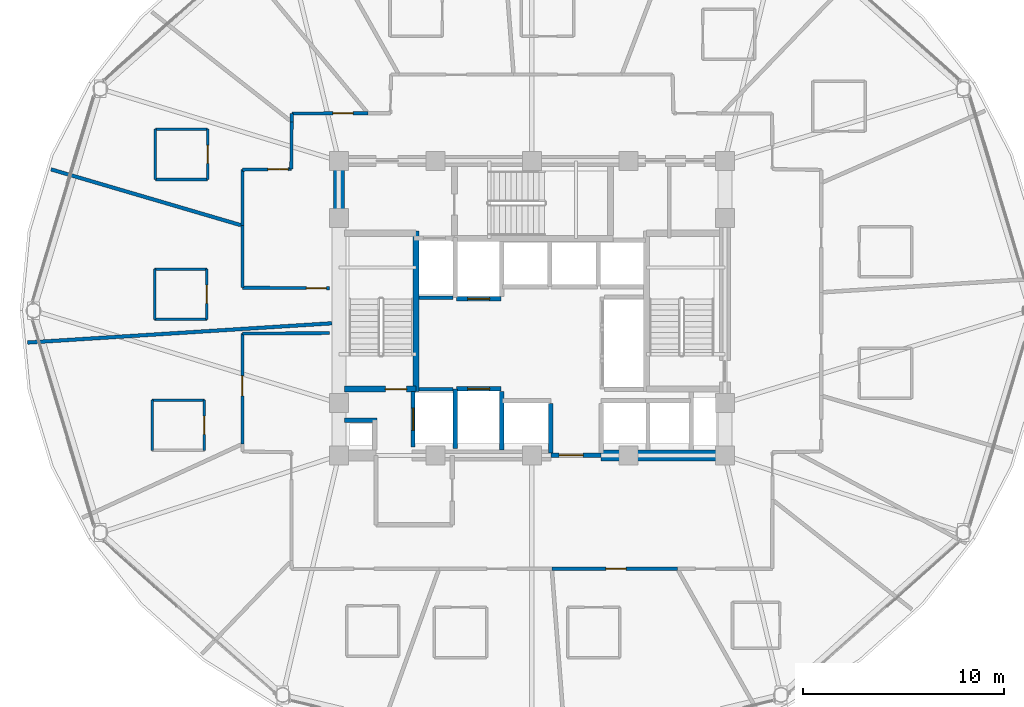
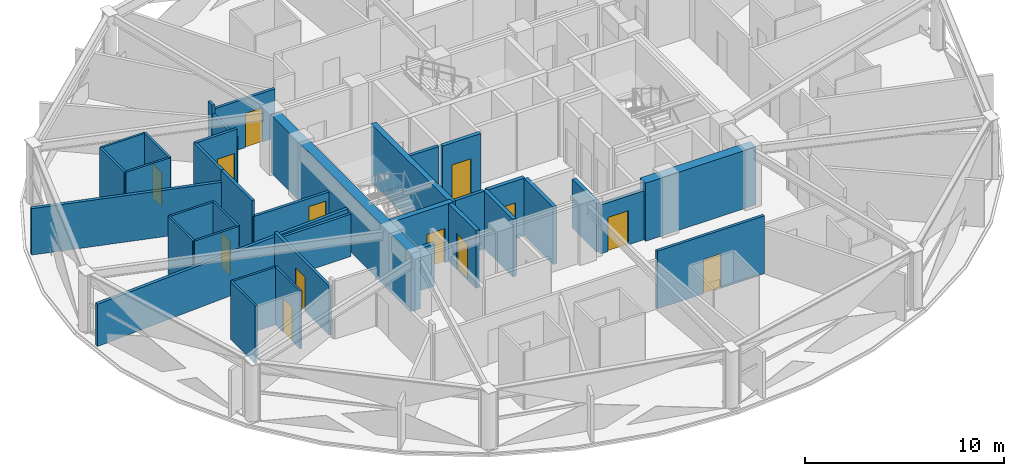
# One storey, part 23 of 30: 37 walls, 13 doors, 13 openings.
"""IFC4 building model written with IfcOpenShell, lengths in metres."""

from ifc_helpers import new_model, si_unit, direction, frame, frame_2d, origin, place, context, subcontext, project, spatial, rectangle, extrude, material, layer, layer_set, type_object, element, fill, save


model = new_model("IFC4")

# Units and contexts
model_context = context("Model", 3, precision=1e-05, world=origin(), true_north=direction((0.0, 1.0)))
body_context = subcontext(model_context, "Body", "Model", "MODEL_VIEW")
ifc_project = project(units=[si_unit("LENGTHUNIT", "METRE"), si_unit("AREAUNIT", "SQUARE_METRE"), si_unit("VOLUMEUNIT", "CUBIC_METRE"), si_unit("PLANEANGLEUNIT", "RADIAN"), si_unit("MASSUNIT", "GRAM", prefix="KILO")], contexts=[model_context])

# Site, building, storey
site_placement = place(None, origin())
site = spatial("IfcSite", under=ifc_project, at=site_placement, CompositionType="ELEMENT")
building_placement = place(site_placement, origin())
building = spatial("IfcBuilding", under=site, at=building_placement, Name="Vantalir Tower", CompositionType="ELEMENT")
storey_placement = place(building_placement, frame((0.0, 0.0, 153.449951171875)))
storey = spatial("IfcBuildingStorey", under=building, at=storey_placement, Name="L38", CompositionType="ELEMENT", Elevation=153.449951171875)

# Walls
ifc_material_1 = material(Name="Moisture-resistant en-suite partition", Category="gypsum")
ifc_layer_1 = layer(ifc_material_1, 0.125)
ifc_layer_set_1 = layer_set([ifc_layer_1], Name="Moisture-resistant en-suite partition")
wall_type_1 = type_object("IfcWallType", Name="WL-BATH-125", PredefinedType="PARTITIONING", material=ifc_layer_set_1)
for number, where, z_axis, x_axis, name in (
    (1, (12.77392578125, 31.52294921875, 0.0), (0.0, 0.0, 1.0), (1.0, 0.0, 0.0), "L38 En-suite 08 South Wall"),
    (2, (12.77392578125, 34.02294921875, 0.0), (0.0, 0.0, 1.0), (1.0, 0.0, 0.0), "L38 En-suite 08 North Wall"),
):
    element("IfcWall", number, at=place(storey_placement, frame(where, z_axis=z_axis, x_axis=x_axis)), inside=storey, type_object=wall_type_1, Name=name, PredefinedType="PARTITIONING", context=body_context, shape_type="SweptSolid", body=[
        extrude(rectangle(XDim=2.60009765625, YDim=0.125, at=frame_2d((1.300048828125, 0.0))), origin(), (0.0, 0.0, 1.0), 3.550048828125),
    ])
wall_1_placement = place(storey_placement, frame((12.77392578125, 31.52294921875, 0.0), z_axis=(0.0, 0.0, 1.0), x_axis=(0.0, 1.0, 0.0)))
element("IfcWall", 3, at=wall_1_placement, inside=storey, type_object=wall_type_1, Name="L38 En-suite 08 West Wall", PredefinedType="PARTITIONING", context=body_context, shape_type="SweptSolid", body=[
    extrude(rectangle(XDim=2.5, YDim=0.125, at=frame_2d((1.25, 0.0))), origin(), (0.0, 0.0, 1.0), 3.550048828125),
])

# Wall, opening, door
wall_2_placement = place(storey_placement, frame((15.3740234375, 31.52294921875, 0.0), z_axis=(0.0, 0.0, 1.0), x_axis=(0.0, 1.0, 0.0)))
wall_2 = element("IfcWall", 4, at=wall_2_placement, inside=storey, type_object=wall_type_1, Name="L38 En-suite 08 East Wall", PredefinedType="PARTITIONING", context=body_context, shape_type="SweptSolid", body=[
    extrude(rectangle(XDim=2.5, YDim=0.125, at=frame_2d((1.25, 0.0))), origin(), (0.0, 0.0, 1.0), 3.550048828125),
])
opening_1_placement = place(wall_2_placement, frame((0.800048828125, 0.0, 0.0)))
opening_1 = element("IfcOpeningElement", 5, at=opening_1_placement, cuts=wall_2, Name="Opening D-WC", PredefinedType="OPENING", context=body_context, shape_type="SweptSolid", body=[
    extrude(rectangle(XDim=0.89990234375, YDim=2.10009765625, at=frame_2d((0.449951171875, 1.050048828125))), frame((0.0, 0.072509765625, 0.0), z_axis=(0.0, -1.0, 0.0), x_axis=(1.0, 0.0, 0.0)), (0.0, 0.0, 1.0), 0.14501953125),
])
ifc_material_2 = material(Name="Moisture-resistant hardwood door", Category="wood")
door_type_1 = type_object("IfcDoorType", Name="DR-ENSUITE-900", OperationType="NOTDEFINED", PredefinedType="DOOR", material=ifc_material_2)
door_1_placement = place(opening_1_placement, origin())
door_1 = element("IfcDoor", 6, at=door_1_placement, inside=storey, type_object=door_type_1, Name="L38 En-suite 08 Door", OperationType="SINGLE_SWING_LEFT", OverallHeight=2.10009765625, OverallWidth=0.89990234375, PredefinedType="DOOR", context=body_context, shape_type="SweptSolid", body=[
    extrude(rectangle(XDim=0.89990234375, YDim=2.10009765625, at=frame_2d((0.449951171875, 1.050048828125))), frame((0.0, 0.02490234375, 0.0), z_axis=(0.0, -1.0, 0.0), x_axis=(1.0, 0.0, 0.0)), (0.0, 0.0, 1.0), 0.050048828125),
])
fill(opening_1, door_1)

# Walls
for number, where, z_axis, x_axis, name in (
    (7, (12.741943359375, 24.568115234375, 0.0), (0.0, 0.0, 1.0), (1.0, 0.0, 0.0), "L38 En-suite 09 South Wall"),
    (8, (12.741943359375, 27.068115234375, 0.0), (0.0, 0.0, 1.0), (1.0, 0.0, 0.0), "L38 En-suite 09 North Wall"),
):
    element("IfcWall", number, at=place(storey_placement, frame(where, z_axis=z_axis, x_axis=x_axis)), inside=storey, type_object=wall_type_1, Name=name, PredefinedType="PARTITIONING", context=body_context, shape_type="SweptSolid", body=[
        extrude(rectangle(XDim=2.60009765625, YDim=0.125, at=frame_2d((1.300048828125, 0.0))), origin(), (0.0, 0.0, 1.0), 3.550048828125),
    ])
wall_3_placement = place(storey_placement, frame((12.741943359375, 24.568115234375, 0.0), z_axis=(0.0, 0.0, 1.0), x_axis=(0.0, 1.0, 0.0)))
element("IfcWall", 9, at=wall_3_placement, inside=storey, type_object=wall_type_1, Name="L38 En-suite 09 West Wall", PredefinedType="PARTITIONING", context=body_context, shape_type="SweptSolid", body=[
    extrude(rectangle(XDim=2.5, YDim=0.125, at=frame_2d((1.25, 0.0))), origin(), (0.0, 0.0, 1.0), 3.550048828125),
])

# Wall, opening, door
wall_4_placement = place(storey_placement, frame((15.342041015625, 24.568115234375, 0.0), z_axis=(0.0, 0.0, 1.0), x_axis=(0.0, 1.0, 0.0)))
wall_4 = element("IfcWall", 10, at=wall_4_placement, inside=storey, type_object=wall_type_1, Name="L38 En-suite 09 East Wall", PredefinedType="PARTITIONING", context=body_context, shape_type="SweptSolid", body=[
    extrude(rectangle(XDim=2.5, YDim=0.125, at=frame_2d((1.25, 0.0))), origin(), (0.0, 0.0, 1.0), 3.550048828125),
])
opening_2_placement = place(wall_4_placement, frame((0.800048828125, 0.0, 0.0)))
opening_2 = element("IfcOpeningElement", 11, at=opening_2_placement, cuts=wall_4, Name="Opening D-WC", PredefinedType="OPENING", context=body_context, shape_type="SweptSolid", body=[
    extrude(rectangle(XDim=0.89990234375, YDim=2.10009765625, at=frame_2d((0.449951171875, 1.050048828125))), frame((0.0, 0.072509765625, 0.0), z_axis=(0.0, -1.0, 0.0), x_axis=(1.0, 0.0, 0.0)), (0.0, 0.0, 1.0), 0.14501953125),
])
door_2_placement = place(opening_2_placement, origin())
door_2 = element("IfcDoor", 12, at=door_2_placement, inside=storey, type_object=door_type_1, Name="L38 En-suite 09 Door", OperationType="SINGLE_SWING_RIGHT", OverallHeight=2.10009765625, OverallWidth=0.89990234375, PredefinedType="DOOR", context=body_context, shape_type="SweptSolid", body=[
    extrude(rectangle(XDim=0.89990234375, YDim=2.10009765625, at=frame_2d((0.449951171875, 1.050048828125))), frame((0.0, 0.02490234375, 0.0), z_axis=(0.0, -1.0, 0.0), x_axis=(1.0, 0.0, 0.0)), (0.0, 0.0, 1.0), 0.050048828125),
])
fill(opening_2, door_2)

# Walls
wall_5_placement = place(storey_placement, frame((12.610107421875, 20.550048828125, 0.0), z_axis=(0.0, 0.0, 1.0), x_axis=(1.0, 0.0, 0.0)))
element("IfcWall", 13, at=wall_5_placement, inside=storey, type_object=wall_type_1, Name="L38 En-suite 10 North Wall", PredefinedType="PARTITIONING", context=body_context, shape_type="SweptSolid", body=[
    extrude(rectangle(XDim=2.599853515625, YDim=0.125, at=frame_2d((1.2998046875, 0.0))), origin(), (0.0, 0.0, 1.0), 3.550048828125),
])
wall_6_placement = place(storey_placement, frame((12.610107421875, 18.050048828125, 0.0), z_axis=(0.0, 0.0, 1.0), x_axis=(0.0, 1.0, 0.0)))
element("IfcWall", 14, at=wall_6_placement, inside=storey, type_object=wall_type_1, Name="L38 En-suite 10 West Wall", PredefinedType="PARTITIONING", context=body_context, shape_type="SweptSolid", body=[
    extrude(rectangle(XDim=2.5, YDim=0.125, at=frame_2d((1.25, 0.0))), origin(), (0.0, 0.0, 1.0), 3.550048828125),
])

# Wall, opening, door
wall_7_placement = place(storey_placement, frame((15.2099609375, 18.050048828125, 0.0), z_axis=(0.0, 0.0, 1.0), x_axis=(0.0, 1.0, 0.0)))
wall_7 = element("IfcWall", 15, at=wall_7_placement, inside=storey, type_object=wall_type_1, Name="L38 En-suite 10 East Wall", PredefinedType="PARTITIONING", context=body_context, shape_type="SweptSolid", body=[
    extrude(rectangle(XDim=2.5, YDim=0.125, at=frame_2d((1.25, 0.0))), origin(), (0.0, 0.0, 1.0), 3.550048828125),
])
opening_3_placement = place(wall_7_placement, frame((0.800048828125, 0.0, 0.0)))
opening_3 = element("IfcOpeningElement", 16, at=opening_3_placement, cuts=wall_7, Name="Opening D-WC", PredefinedType="OPENING", context=body_context, shape_type="SweptSolid", body=[
    extrude(rectangle(XDim=0.89990234375, YDim=2.10009765625, at=frame_2d((0.449951171875, 1.050048828125))), frame((0.0, 0.072509765625, 0.0), z_axis=(0.0, -1.0, 0.0), x_axis=(1.0, 0.0, 0.0)), (0.0, 0.0, 1.0), 0.14501953125),
])
door_3_placement = place(opening_3_placement, origin())
door_3 = element("IfcDoor", 17, at=door_3_placement, inside=storey, type_object=door_type_1, Name="L38 En-suite 10 Door", OperationType="SINGLE_SWING_LEFT", OverallHeight=2.10009765625, OverallWidth=0.89990234375, PredefinedType="DOOR", context=body_context, shape_type="SweptSolid", body=[
    extrude(rectangle(XDim=0.89990234375, YDim=2.10009765625, at=frame_2d((0.449951171875, 1.050048828125))), frame((0.0, 0.02490234375, 0.0), z_axis=(0.0, -1.0, 0.0), x_axis=(1.0, 0.0, 0.0)), (0.0, 0.0, 1.0), 0.050048828125),
])
fill(opening_3, door_3)

# Walls
ifc_material_3 = material(Name="Concrete C60/75", Category="concrete")
ifc_layer_2 = layer(ifc_material_3, 0.550048828125)
ifc_layer_set_2 = layer_set([ifc_layer_2], Name="Concrete C60/75")
wall_type_2 = type_object("IfcWallType", Name="WL-CORE-550", PredefinedType="SHEAR", material=ifc_layer_set_2)
wall_8_placement = place(storey_placement, frame((34.949951171875, 17.800048828125, 0.0), z_axis=(0.0, 0.0, 1.0), x_axis=(1.0, 0.0, 0.0)))
element("IfcWall", 18, at=wall_8_placement, inside=storey, type_object=wall_type_2, Name="L38 Core Shear Wall South-East", PredefinedType="SHEAR", context=body_context, shape_type="SweptSolid", body=[
    extrude(rectangle(XDim=6.425048828125, YDim=0.550048828125, at=frame_2d((3.21240234375, 0.0))), origin(), (0.0, 0.0, 1.0), 3.570068359375),
])
wall_9_placement = place(storey_placement, frame((21.89990234375, 18.074951171875, 0.0), z_axis=(0.0, 0.0, 1.0), x_axis=(0.0, 1.0, 0.0)))
element("IfcWall", 19, at=wall_9_placement, inside=storey, type_object=wall_type_2, Name="L38 Core Shear Wall West", PredefinedType="SHEAR", context=body_context, shape_type="SweptSolid", body=[
    extrude(rectangle(XDim=14.10009765625, YDim=0.550048828125, at=frame_2d((7.050048828125, 0.0))), origin(), (0.0, 0.0, 1.0), 3.570068359375),
])

# Wall, opening, door
ifc_material_4 = material(Name="Fire-rated hotel corridor acoustic partition", Category="gypsum")
ifc_layer_3 = layer(ifc_material_4, 0.159912109375)
ifc_layer_set_3 = layer_set([ifc_layer_3], Name="Fire-rated hotel corridor acoustic partition")
wall_type_3 = type_object("IfcWallType", Name="WL-CORR-160", PredefinedType="PARTITIONING", material=ifc_layer_set_3)
wall_10_placement = place(storey_placement, frame((21.445068359375, 26.115966796875, 0.0), z_axis=(0.0, 0.0, 1.0), x_axis=(-0.999981878077, 0.006020258873, 0.0)))
wall_10 = element("IfcWall", 20, at=wall_10_placement, inside=storey, type_object=wall_type_3, Name="L38 Corridor Partition 01", PredefinedType="PARTITIONING", context=body_context, shape_type="SweptSolid", body=[
    extrude(rectangle(XDim=4.339111328125, YDim=0.159912109375, at=frame_2d((2.16943359375, 0.0))), origin(), (0.0, 0.0, 1.0), 2.594970703125),
])
opening_4_placement = place(wall_10_placement, frame((0.159912109375, 0.0, 0.0)))
opening_4 = element("IfcOpeningElement", 21, at=opening_4_placement, cuts=wall_10, Name="Opening D-GUEST", PredefinedType="OPENING", context=body_context, shape_type="SweptSolid", body=[
    extrude(rectangle(XDim=1.0, YDim=2.10009765625, at=frame_2d((0.5, 1.050048828125))), frame((0.0, 0.08984375, 0.0), z_axis=(0.0, -1.0, 0.0), x_axis=(1.0, 0.0, 0.0)), (0.0, 0.0, 1.0), 0.179931640625),
])
ifc_material_5 = material(Name="Solid-core teak veneer acoustic fire door", Category="wood")
door_type_2 = type_object("IfcDoorType", Name="DR-GUEST-ENTRY-1000", OperationType="NOTDEFINED", PredefinedType="DOOR", material=ifc_material_5)
door_4_placement = place(opening_4_placement, origin())
door_4 = element("IfcDoor", 22, at=door_4_placement, inside=storey, type_object=door_type_2, Name="L38 Deluxe King Hotel Room 09 Door", OperationType="SINGLE_SWING_RIGHT", OverallHeight=2.10009765625, OverallWidth=1.0, PredefinedType="DOOR", context=body_context, shape_type="SweptSolid", body=[
    extrude(rectangle(XDim=1.0, YDim=2.10009765625, at=frame_2d((0.5, 1.050048828125))), frame((0.0, 0.02490234375, 0.0), z_axis=(0.0, -1.0, 0.0), x_axis=(1.0, 0.0, 0.0)), (0.0, 0.0, 1.0), 0.050048828125),
])
fill(opening_4, door_4)

# Walls
wall_11_placement = place(storey_placement, frame((17.10595703125, 26.14208984375, 0.0), z_axis=(0.0, 0.0, 1.0), x_axis=(0.0, 1.0, 0.0)))
element("IfcWall", 23, at=wall_11_placement, inside=storey, type_object=wall_type_3, Name="L38 Corridor Partition 02", PredefinedType="PARTITIONING", context=body_context, shape_type="SweptSolid", body=[
    extrude(rectangle(XDim=3.0869140625, YDim=0.159912109375, at=frame_2d((1.54345703125, 0.0))), origin(), (0.0, 0.0, 1.0), 3.550048828125),
])
wall_12_placement = place(storey_placement, frame((17.10595703125, 29.22900390625, 0.0), z_axis=(0.0, 0.0, 1.0), x_axis=(0.000350907953, 0.999999938432, 0.0)))
element("IfcWall", 24, at=wall_12_placement, inside=storey, type_object=wall_type_3, Name="L38 Corridor Partition 03", PredefinedType="PARTITIONING", context=body_context, shape_type="SweptSolid", body=[
    extrude(rectangle(XDim=2.782958984375, YDim=0.159912109375, at=frame_2d((1.3916015625, 0.0))), origin(), (0.0, 0.0, 1.0), 3.550048828125),
])

# Wall, opening, door
wall_13_placement = place(storey_placement, frame((17.10693359375, 32.011962890625, 0.0), z_axis=(0.0, 0.0, 1.0), x_axis=(0.999933148284, 0.011562826752, 0.0)))
wall_13 = element("IfcWall", 25, at=wall_13_placement, inside=storey, type_object=wall_type_3, Name="L38 Corridor Partition 04", PredefinedType="PARTITIONING", context=body_context, shape_type="SweptSolid", body=[
    extrude(rectangle(XDim=2.42822265625, YDim=0.159912109375, at=frame_2d((1.214111328125, 0.0))), origin(), (0.0, 0.0, 1.0), 3.550048828125),
])
opening_5_placement = place(wall_13_placement, frame((1.26806640625, 0.0, 0.0)))
opening_5 = element("IfcOpeningElement", 26, at=opening_5_placement, cuts=wall_13, Name="Opening D-GUEST", PredefinedType="OPENING", context=body_context, shape_type="SweptSolid", body=[
    extrude(rectangle(XDim=1.0, YDim=2.10009765625, at=frame_2d((0.5, 1.050048828125))), frame((0.0, 0.08984375, 0.0), z_axis=(0.0, -1.0, 0.0), x_axis=(1.0, 0.0, 0.0)), (0.0, 0.0, 1.0), 0.179931640625),
])
door_5_placement = place(opening_5_placement, origin())
door_5 = element("IfcDoor", 27, at=door_5_placement, inside=storey, type_object=door_type_2, Name="L38 Twin Queen Hotel Room 08 Door", OperationType="SINGLE_SWING_LEFT", OverallHeight=2.10009765625, OverallWidth=1.0, PredefinedType="DOOR", context=body_context, shape_type="SweptSolid", body=[
    extrude(rectangle(XDim=1.0, YDim=2.10009765625, at=frame_2d((0.5, 1.050048828125))), frame((0.0, 0.02490234375, 0.0), z_axis=(0.0, -1.0, 0.0), x_axis=(1.0, 0.0, 0.0)), (0.0, 0.0, 1.0), 0.050048828125),
])
fill(opening_5, door_5)

# Walls
wall_14_placement = place(storey_placement, frame((19.534912109375, 32.0400390625, 0.0), z_axis=(0.0, 0.0, 1.0), x_axis=(0.008938422662, 0.999960051502, 0.0)))
element("IfcWall", 28, at=wall_14_placement, inside=storey, type_object=wall_type_3, Name="L38 Corridor Partition 05", PredefinedType="PARTITIONING", context=body_context, shape_type="SweptSolid", body=[
    extrude(rectangle(XDim=2.348876953125, YDim=0.159912109375, at=frame_2d((1.17431640625, 0.0))), origin(), (0.0, 0.0, 1.0), 3.006103515625),
])
wall_15_placement = place(storey_placement, frame((19.555908203125, 34.388916015625, 0.0), z_axis=(0.0, 0.0, 1.0), x_axis=(0.009809106822, 0.999951889554, 0.0)))
element("IfcWall", 29, at=wall_15_placement, inside=storey, type_object=wall_type_3, Name="L38 Corridor Partition 06", PredefinedType="PARTITIONING", context=body_context, shape_type="SweptSolid", body=[
    extrude(rectangle(XDim=0.423095703125, YDim=0.159912109375, at=frame_2d((0.21142578125, 0.0))), origin(), (0.0, 0.0, 1.0), 3.550048828125),
])

# Wall, opening, door
wall_16_placement = place(storey_placement, frame((19.56005859375, 34.81201171875, 0.0), z_axis=(0.0, 0.0, 1.0), x_axis=(0.999999867217, 0.000515331032, 0.0)))
wall_16 = element("IfcWall", 30, at=wall_16_placement, inside=storey, type_object=wall_type_3, Name="L38 Corridor Partition 07", PredefinedType="PARTITIONING", context=body_context, shape_type="SweptSolid", body=[
    extrude(rectangle(XDim=3.7900390625, YDim=0.159912109375, at=frame_2d((1.89501953125, 0.0))), origin(), (0.0, 0.0, 1.0), 3.006103515625),
])
opening_6_placement = place(wall_16_placement, frame((2.049072265625, 0.0, 0.0)))
opening_6 = element("IfcOpeningElement", 31, at=opening_6_placement, cuts=wall_16, Name="Opening D-GUEST", PredefinedType="OPENING", context=body_context, shape_type="SweptSolid", body=[
    extrude(rectangle(XDim=1.0, YDim=2.10009765625, at=frame_2d((0.5, 1.050048828125))), frame((0.0, 0.08984375, 0.0), z_axis=(0.0, -1.0, 0.0), x_axis=(1.0, 0.0, 0.0)), (0.0, 0.0, 1.0), 0.179931640625),
])
door_6_placement = place(opening_6_placement, origin())
door_6 = element("IfcDoor", 32, at=door_6_placement, inside=storey, type_object=door_type_2, Name="L38 Club Reading Lounge 07 Door", OperationType="SINGLE_SWING_RIGHT", OverallHeight=2.10009765625, OverallWidth=1.0, PredefinedType="DOOR", context=body_context, shape_type="SweptSolid", body=[
    extrude(rectangle(XDim=1.0, YDim=2.10009765625, at=frame_2d((0.5, 1.050048828125))), frame((0.0, 0.02490234375, 0.0), z_axis=(0.0, -1.0, 0.0), x_axis=(1.0, 0.0, 0.0)), (0.0, 0.0, 1.0), 0.050048828125),
])
fill(opening_6, door_6)

wall_17_placement = place(storey_placement, frame((38.73193359375, 12.166015625, 0.0), z_axis=(0.0, 0.0, 1.0), x_axis=(-0.999999889749, -0.000469575374, 0.0)))
wall_17 = element("IfcWall", 33, at=wall_17_placement, inside=storey, type_object=wall_type_3, Name="L38 Corridor Partition 28", PredefinedType="PARTITIONING", context=body_context, shape_type="SweptSolid", body=[
    extrude(rectangle(XDim=6.239013671875, YDim=0.159912109375, at=frame_2d((3.11962890625, 0.0))), origin(), (0.0, 0.0, 1.0), 3.550048828125),
])
opening_7_placement = place(wall_17_placement, frame((2.544921875, 0.0, 0.0)))
opening_7 = element("IfcOpeningElement", 34, at=opening_7_placement, cuts=wall_17, Name="Opening D-GUEST", PredefinedType="OPENING", context=body_context, shape_type="SweptSolid", body=[
    extrude(rectangle(XDim=1.0, YDim=2.10009765625, at=frame_2d((0.5, 1.050048828125))), frame((0.0, 0.08984375, 0.0), z_axis=(0.0, -1.0, 0.0), x_axis=(1.0, 0.0, 0.0)), (0.0, 0.0, 1.0), 0.179931640625),
])
door_7_placement = place(opening_7_placement, origin())
door_7 = element("IfcDoor", 35, at=door_7_placement, inside=storey, type_object=door_type_2, Name="L38 Twin Queen Hotel Room 14 Door", OperationType="SINGLE_SWING_LEFT", OverallHeight=2.10009765625, OverallWidth=1.0, PredefinedType="DOOR", context=body_context, shape_type="SweptSolid", body=[
    extrude(rectangle(XDim=1.0, YDim=2.10009765625, at=frame_2d((0.5, 1.050048828125))), frame((0.0, 0.02490234375, 0.0), z_axis=(0.0, -1.0, 0.0), x_axis=(1.0, 0.0, 0.0)), (0.0, 0.0, 1.0), 0.050048828125),
])
fill(opening_7, door_7)

wall_18_placement = place(storey_placement, frame((17.10595703125, 18.367919921875, 0.0), z_axis=(0.0, 0.0, 1.0), x_axis=(0.0, 1.0, 0.0)))
wall_18 = element("IfcWall", 36, at=wall_18_placement, inside=storey, type_object=wall_type_3, Name="L38 Corridor Partition 35", PredefinedType="PARTITIONING", context=body_context, shape_type="SweptSolid", body=[
    extrude(rectangle(XDim=5.489990234375, YDim=0.159912109375, at=frame_2d((2.7451171875, 0.0))), origin(), (0.0, 0.0, 1.0), 3.006103515625),
])
opening_8_placement = place(wall_18_placement, frame((2.39404296875, 0.0, 0.0)))
opening_8 = element("IfcOpeningElement", 37, at=opening_8_placement, cuts=wall_18, Name="Opening D-GUEST", PredefinedType="OPENING", context=body_context, shape_type="SweptSolid", body=[
    extrude(rectangle(XDim=1.0, YDim=2.10009765625, at=frame_2d((0.5, 1.050048828125))), frame((0.0, 0.08984375, 0.0), z_axis=(0.0, -1.0, 0.0), x_axis=(1.0, 0.0, 0.0)), (0.0, 0.0, 1.0), 0.179931640625),
])
door_8_placement = place(opening_8_placement, origin())
door_8 = element("IfcDoor", 38, at=door_8_placement, inside=storey, type_object=door_type_2, Name="L38 Twin Queen Hotel Room 10 Door", OperationType="SINGLE_SWING_LEFT", OverallHeight=2.10009765625, OverallWidth=1.0, PredefinedType="DOOR", context=body_context, shape_type="SweptSolid", body=[
    extrude(rectangle(XDim=1.0, YDim=2.10009765625, at=frame_2d((0.5, 1.050048828125))), frame((0.0, 0.02490234375, 0.0), z_axis=(0.0, -1.0, 0.0), x_axis=(1.0, 0.0, 0.0)), (0.0, 0.0, 1.0), 0.050048828125),
])
fill(opening_8, door_8)

# Walls
wall_19_placement = place(storey_placement, frame((17.10595703125, 23.85791015625, 0.0), z_axis=(0.0, 0.0, 1.0), x_axis=(0.999981878077, 0.006020258873, 0.0)))
element("IfcWall", 39, at=wall_19_placement, inside=storey, type_object=wall_type_3, Name="L38 Corridor Partition 36", PredefinedType="PARTITIONING", context=body_context, shape_type="SweptSolid", body=[
    extrude(rectangle(XDim=4.339111328125, YDim=0.159912109375, at=frame_2d((2.16943359375, 0.0))), origin(), (0.0, 0.0, 1.0), 2.594970703125),
])
ifc_material_6 = material(Name="Concrete blockwork with fireboard lining", Category="masonry")
ifc_layer_4 = layer(ifc_material_6, 0.219970703125)
ifc_layer_set_4 = layer_set([ifc_layer_4], Name="Concrete blockwork with fireboard lining")
wall_type_4 = type_object("IfcWallType", Name="WL-FFL-220", PredefinedType="PARTITIONING", material=ifc_layer_set_4)
wall_20_placement = place(storey_placement, frame((30.0, 18.080078125, 0.0), z_axis=(0.0, 0.0, 1.0), x_axis=(0.0, 1.0, 0.0)))
element("IfcWall", 40, at=wall_20_placement, inside=storey, type_object=wall_type_4, Name="L38 Service Lift SV1 East Shaft Wall", PredefinedType="PARTITIONING", context=body_context, shape_type="SweptSolid", body=[
    extrude(rectangle(XDim=2.89990234375, YDim=0.219970703125, at=frame_2d((1.449951171875, 0.0))), origin(), (0.0, 0.0, 1.0), 3.545166015625),
])
wall_21_placement = place(storey_placement, frame((32.449951171875, 17.919921875, 0.0), z_axis=(0.0, 0.0, 1.0), x_axis=(0.0, 1.0, 0.0)))
element("IfcWall", 41, at=wall_21_placement, inside=storey, type_object=wall_type_4, Name="L38 Shuttle Lift PL-X1 East Shaft Cheek", PredefinedType="PARTITIONING", context=body_context, shape_type="SweptSolid", body=[
    extrude(rectangle(XDim=2.469970703125, YDim=0.219970703125, at=frame_2d((1.23486328125, 0.0))), origin(), (0.0, 0.0, 1.0), 3.006103515625),
])

# Wall, opening, door
wall_22_placement = place(storey_placement, frame((32.449951171875, 17.800048828125, 0.0), z_axis=(0.0, 0.0, 1.0), x_axis=(1.0, 0.0, 0.0)))
wall_22 = element("IfcWall", 42, at=wall_22_placement, inside=storey, type_object=wall_type_4, Name="L38 Passenger Lift Lobby South Wall", PredefinedType="PARTITIONING", context=body_context, shape_type="SweptSolid", body=[
    extrude(rectangle(XDim=2.5, YDim=0.219970703125, at=frame_2d((1.25, 0.0))), origin(), (0.0, 0.0, 1.0), 3.006103515625),
])
opening_9_placement = place(wall_22_placement, frame((0.39990234375, 0.0, 0.0)))
opening_9 = element("IfcOpeningElement", 43, at=opening_9_placement, cuts=wall_22, Name="Opening D-STE", PredefinedType="OPENING", context=body_context, shape_type="SweptSolid", body=[
    extrude(rectangle(XDim=1.199951171875, YDim=2.10009765625, at=frame_2d((0.60009765625, 1.050048828125))), frame((0.0, 0.119873046875, 0.0), z_axis=(0.0, -1.0, 0.0), x_axis=(1.0, 0.0, 0.0)), (0.0, 0.0, 1.0), 0.239990234375),
])
ifc_material_7 = material(Name="Solid-core teak veneer suite entrance door", Category="wood")
door_type_3 = type_object("IfcDoorType", Name="DR-SUITE-ENTRY-1200", OperationType="NOTDEFINED", PredefinedType="DOOR", material=ifc_material_7)
door_9_placement = place(opening_9_placement, origin())
door_9 = element("IfcDoor", 44, at=door_9_placement, inside=storey, type_object=door_type_3, Name="L38 Passenger Lift Lobby Concourse Door", OperationType="SINGLE_SWING_LEFT", OverallHeight=2.10009765625, OverallWidth=1.199951171875, PredefinedType="DOOR", context=body_context, shape_type="SweptSolid", body=[
    extrude(rectangle(XDim=1.199951171875, YDim=2.10009765625, at=frame_2d((0.60009765625, 1.050048828125))), frame((0.0, 0.02490234375, 0.0), z_axis=(0.0, -1.0, 0.0), x_axis=(1.0, 0.0, 0.0)), (0.0, 0.0, 1.0), 0.050048828125),
])
fill(opening_9, door_9)

# Wall
wall_23_placement = place(storey_placement, frame((22.175048828125, 19.550048828125, 0.0), z_axis=(0.0, 0.0, 1.0), x_axis=(1.0, 0.0, 0.0)))
element("IfcWall", 45, at=wall_23_placement, inside=storey, type_object=wall_type_4, Name="L38 West MEP Riser Wall N", PredefinedType="PARTITIONING", context=body_context, shape_type="SweptSolid", body=[
    extrude(rectangle(XDim=1.614990234375, YDim=0.219970703125, at=frame_2d((0.8076171875, 0.0))), origin(), (0.0, 0.0, 1.0), 2.594970703125),
])

# Wall, opening, door
wall_24_placement = place(storey_placement, frame((25.590087890625, 18.219970703125, 0.0), z_axis=(0.0, 0.0, 1.0), x_axis=(0.0, 1.0, 0.0)))
wall_24 = element("IfcWall", 46, at=wall_24_placement, inside=storey, type_object=wall_type_4, Name="L38 Lift FL1 Shaft Front Wall", PredefinedType="PARTITIONING", context=body_context, shape_type="SweptSolid", body=[
    extrude(rectangle(XDim=2.760009765625, YDim=0.219970703125, at=frame_2d((1.3798828125, 0.0))), origin(), (0.0, 0.0, 1.0), 3.550048828125),
])
opening_10_placement = place(wall_24_placement, frame((0.830078125, 0.0, 0.0)))
opening_10 = element("IfcOpeningElement", 47, at=opening_10_placement, cuts=wall_24, Name="Opening LD-FL1", PredefinedType="OPENING", context=body_context, shape_type="SweptSolid", body=[
    extrude(rectangle(XDim=1.10009765625, YDim=2.199951171875, at=frame_2d((0.550048828125, 1.10009765625))), frame((0.0, 0.119873046875, 0.0), z_axis=(0.0, -1.0, 0.0), x_axis=(1.0, 0.0, 0.0)), (0.0, 0.0, 1.0), 0.239990234375),
])
ifc_material_8 = material(Name="Brushed stainless-steel sliding lift landing door", Category="steel")
door_type_4 = type_object("IfcDoorType", Name="DR-LIFT-LANDING-1100", OperationType="DOUBLE_DOOR_SLIDING", PredefinedType="DOOR", material=ifc_material_8)
door_10_placement = place(opening_10_placement, origin())
door_10 = element("IfcDoor", 48, at=door_10_placement, inside=storey, type_object=door_type_4, Name="L38 Lift Landing Door FL1", OperationType="DOUBLE_DOOR_SLIDING", OverallHeight=2.199951171875, OverallWidth=1.10009765625, PredefinedType="DOOR", context=body_context, shape_type="SweptSolid", body=[
    extrude(rectangle(XDim=1.10009765625, YDim=2.199951171875, at=frame_2d((0.550048828125, 1.10009765625))), frame((0.0, 0.02490234375, 0.0), z_axis=(0.0, -1.0, 0.0), x_axis=(1.0, 0.0, 0.0)), (0.0, 0.0, 1.0), 0.050048828125),
])
fill(opening_10, door_10)

wall_25_placement = place(storey_placement, frame((27.739990234375, 21.110107421875, 0.0), z_axis=(0.0, 0.0, 1.0), x_axis=(1.0, 0.0, 0.0)))
wall_25 = element("IfcWall", 49, at=wall_25_placement, inside=storey, type_object=wall_type_4, Name="L38 Lift SV1 Shaft Front Wall", PredefinedType="PARTITIONING", context=body_context, shape_type="SweptSolid", body=[
    extrude(rectangle(XDim=2.219970703125, YDim=0.219970703125, at=frame_2d((1.10986328125, 0.0))), origin(), (0.0, 0.0, 1.0), 3.550048828125),
])
opening_11_placement = place(wall_25_placement, frame((0.56005859375, 0.0, 0.0)))
opening_11 = element("IfcOpeningElement", 50, at=opening_11_placement, cuts=wall_25, Name="Opening LD-SV1", PredefinedType="OPENING", context=body_context, shape_type="SweptSolid", body=[
    extrude(rectangle(XDim=1.10009765625, YDim=2.199951171875, at=frame_2d((0.550048828125, 1.10009765625))), frame((0.0, 0.119873046875, 0.0), z_axis=(0.0, -1.0, 0.0), x_axis=(1.0, 0.0, 0.0)), (0.0, 0.0, 1.0), 0.239990234375),
])
door_11_placement = place(opening_11_placement, origin())
door_11 = element("IfcDoor", 51, at=door_11_placement, inside=storey, type_object=door_type_4, Name="L38 Lift Landing Door SV1", OperationType="DOUBLE_DOOR_SLIDING", OverallHeight=2.199951171875, OverallWidth=1.10009765625, PredefinedType="DOOR", context=body_context, shape_type="SweptSolid", body=[
    extrude(rectangle(XDim=1.10009765625, YDim=2.199951171875, at=frame_2d((0.550048828125, 1.10009765625))), frame((0.0, 0.02490234375, 0.0), z_axis=(0.0, -1.0, 0.0), x_axis=(1.0, 0.0, 0.0)), (0.0, 0.0, 1.0), 0.050048828125),
])
fill(opening_11, door_11)

wall_26_placement = place(storey_placement, frame((27.739990234375, 25.590087890625, 0.0), z_axis=(0.0, 0.0, 1.0), x_axis=(1.0, 0.0, 0.0)))
wall_26 = element("IfcWall", 52, at=wall_26_placement, inside=storey, type_object=wall_type_4, Name="L38 Lift SV2 Shaft Front Wall", PredefinedType="PARTITIONING", context=body_context, shape_type="SweptSolid", body=[
    extrude(rectangle(XDim=2.219970703125, YDim=0.219970703125, at=frame_2d((1.10986328125, 0.0))), origin(), (0.0, 0.0, 1.0), 3.550048828125),
])
opening_12_placement = place(wall_26_placement, frame((0.56005859375, 0.0, 0.0)))
opening_12 = element("IfcOpeningElement", 53, at=opening_12_placement, cuts=wall_26, Name="Opening LD-SV2", PredefinedType="OPENING", context=body_context, shape_type="SweptSolid", body=[
    extrude(rectangle(XDim=1.10009765625, YDim=2.199951171875, at=frame_2d((0.550048828125, 1.10009765625))), frame((0.0, 0.119873046875, 0.0), z_axis=(0.0, -1.0, 0.0), x_axis=(1.0, 0.0, 0.0)), (0.0, 0.0, 1.0), 0.239990234375),
])
door_12_placement = place(opening_12_placement, frame((1.10009765625, 0.0, 0.0), z_axis=(0.0, 0.0, 1.0), x_axis=(-1.0, 0.0, 0.0)))
door_12 = element("IfcDoor", 54, at=door_12_placement, inside=storey, type_object=door_type_4, Name="L38 Lift Landing Door SV2", OperationType="DOUBLE_DOOR_SLIDING", OverallHeight=2.199951171875, OverallWidth=1.10009765625, PredefinedType="DOOR", context=body_context, shape_type="SweptSolid", body=[
    extrude(rectangle(XDim=1.10009765625, YDim=2.199951171875, at=frame_2d((0.550048828125, 1.10009765625))), frame((0.0, 0.02490234375, 0.0), z_axis=(0.0, -1.0, 0.0), x_axis=(1.0, 0.0, 0.0)), (0.0, 0.0, 1.0), 0.050048828125),
])
fill(opening_12, door_12)

# Walls
wall_27_placement = place(storey_placement, frame((27.699951171875, 18.14990234375, 0.0), z_axis=(0.0, 0.0, 1.0), x_axis=(0.0, 1.0, 0.0)))
element("IfcWall", 55, at=wall_27_placement, inside=storey, type_object=wall_type_4, Name="L38 Fire Lift FL1 Dividing Wall", PredefinedType="PARTITIONING", context=body_context, shape_type="SweptSolid", body=[
    extrude(rectangle(XDim=2.9501953125, YDim=0.219970703125, at=frame_2d((1.47509765625, 0.0))), origin(), (0.0, 0.0, 1.0), 3.550048828125),
])
ifc_material_9 = material(Name="Twin-stud acoustic fire-rated gypsum partition", Category="gypsum")
ifc_layer_5 = layer(ifc_material_9, 0.179931640625)
ifc_layer_set_5 = layer_set([ifc_layer_5], Name="Twin-stud acoustic fire-rated gypsum partition")
wall_type_5 = type_object("IfcWallType", Name="WL-GUEST-180", PredefinedType="PARTITIONING", material=ifc_layer_set_5)
for number, where, z_axis, x_axis, name in (
    (56, (25.889892578125, 21.10009765625, 0.0), (0.0, 0.0, 1.0), (1.0, 0.0, 0.0), "L38 Freed West Core South Wall"),
    (57, (25.889892578125, 25.64990234375, 0.0), (0.0, 0.0, 1.0), (1.0, 0.0, 0.0), "L38 Freed West Core North Wall"),
):
    element("IfcWall", number, at=place(storey_placement, frame(where, z_axis=z_axis, x_axis=x_axis)), inside=storey, type_object=wall_type_5, Name=name, PredefinedType="PARTITIONING", context=body_context, shape_type="SweptSolid", body=[
        extrude(rectangle(XDim=1.7001953125, YDim=0.179931640625, at=frame_2d((0.85009765625, 0.0))), origin(), (0.0, 0.0, 1.0), 3.550048828125),
    ])
wall_28_placement = place(storey_placement, frame((17.030029296875, 29.2509765625, 0.0), z_axis=(0.0, 0.0, 1.0), x_axis=(-0.959441691332, 0.281907149489, 0.0)))
element("IfcWall", 58, at=wall_28_placement, inside=storey, type_object=wall_type_5, Name="L38 Radial Suite Partition 09", PredefinedType="PARTITIONING", context=body_context, shape_type="SweptSolid", body=[
    extrude(rectangle(XDim=9.84326171875, YDim=0.179931640625, at=frame_2d((4.921630859375, 0.0))), origin(), (0.0, 0.0, 1.0), 2.85205078125),
])
wall_29_placement = place(storey_placement, frame((21.550048828125, 24.37109375, 0.0), z_axis=(0.0, 0.0, 1.0), x_axis=(-0.998004655197, -0.063140384899, 0.0)))
element("IfcWall", 59, at=wall_29_placement, inside=storey, type_object=wall_type_5, Name="L38 Radial Suite Partition 10", PredefinedType="PARTITIONING", context=body_context, shape_type="SweptSolid", body=[
    extrude(rectangle(XDim=15.1572265625, YDim=0.179931640625, at=frame_2d((7.57861328125, 0.0))), origin(), (0.0, 0.0, 1.0), 2.594970703125),
])

# Wall, opening, door
ifc_material_10 = material(Name="Concrete C50/60", Category="concrete")
ifc_layer_6 = layer(ifc_material_10, 0.300048828125)
ifc_layer_set_6 = layer_set([ifc_layer_6], Name="Concrete C50/60")
wall_type_6 = type_object("IfcWallType", Name="WL-STAIR-300", PredefinedType="SHEAR", material=ifc_layer_set_6)
wall_30_placement = place(storey_placement, frame((22.175048828125, 21.10009765625, 0.0), z_axis=(0.0, 0.0, 1.0), x_axis=(1.0, 0.0, 0.0)))
wall_30 = element("IfcWall", 60, at=wall_30_placement, inside=storey, type_object=wall_type_6, Name="L38 Stair ST1 South Wall", PredefinedType="SHEAR", context=body_context, shape_type="SweptSolid", body=[
    extrude(rectangle(XDim=3.56494140625, YDim=0.300048828125, at=frame_2d((1.782470703125, 0.0))), origin(), (0.0, 0.0, 1.0), 3.570068359375),
])
opening_13_placement = place(wall_30_placement, frame((2.044921875, 0.0, 0.0)))
opening_13 = element("IfcOpeningElement", 61, at=opening_13_placement, cuts=wall_30, Name="Opening D-ST", PredefinedType="OPENING", context=body_context, shape_type="SweptSolid", body=[
    extrude(rectangle(XDim=1.050048828125, YDim=2.10009765625, at=frame_2d((0.52490234375, 1.050048828125))), frame((0.0, 0.159912109375, 0.0), z_axis=(0.0, -1.0, 0.0), x_axis=(1.0, 0.0, 0.0)), (0.0, 0.0, 1.0), 0.320068359375),
])
ifc_material_11 = material(Name="Fire-rated steel door leaf", Category="steel")
door_type_5 = type_object("IfcDoorType", Name="DR-FIRE-STAIR-1050", OperationType="NOTDEFINED", PredefinedType="DOOR", material=ifc_material_11)
door_13_placement = place(opening_13_placement, origin())
door_13 = element("IfcDoor", 62, at=door_13_placement, inside=storey, type_object=door_type_5, Name="L38 Exit Stair ST1 Fire Door", OperationType="SINGLE_SWING_LEFT", OverallHeight=2.10009765625, OverallWidth=1.050048828125, PredefinedType="DOOR", context=body_context, shape_type="SweptSolid", body=[
    extrude(rectangle(XDim=1.050048828125, YDim=2.10009765625, at=frame_2d((0.52490234375, 1.050048828125))), frame((0.0, 0.02490234375, 0.0), z_axis=(0.0, -1.0, 0.0), x_axis=(1.0, 0.0, 0.0)), (0.0, 0.0, 1.0), 0.050048828125),
])
fill(opening_13, door_13)

# Wall
wall_31_placement = place(storey_placement, frame((25.739990234375, 20.97998046875, 0.0), z_axis=(0.0, 0.0, 1.0), x_axis=(0.0, 1.0, 0.0)))
element("IfcWall", 63, at=wall_31_placement, inside=storey, type_object=wall_type_6, Name="L38 Stair ST1 East Wall", PredefinedType="SHEAR", context=body_context, shape_type="SweptSolid", body=[
    extrude(rectangle(XDim=7.989990234375, YDim=0.300048828125, at=frame_2d((3.9951171875, 0.0))), origin(), (0.0, 0.0, 1.0), 3.570068359375),
])

save(model, "model.ifc")
